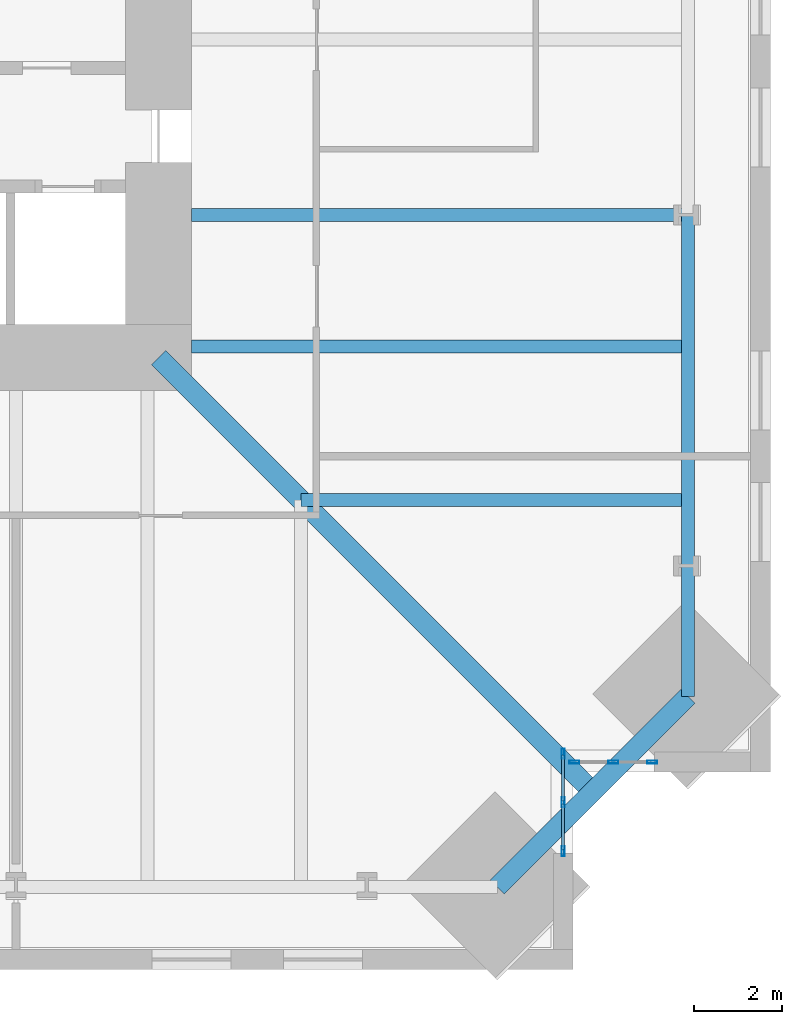
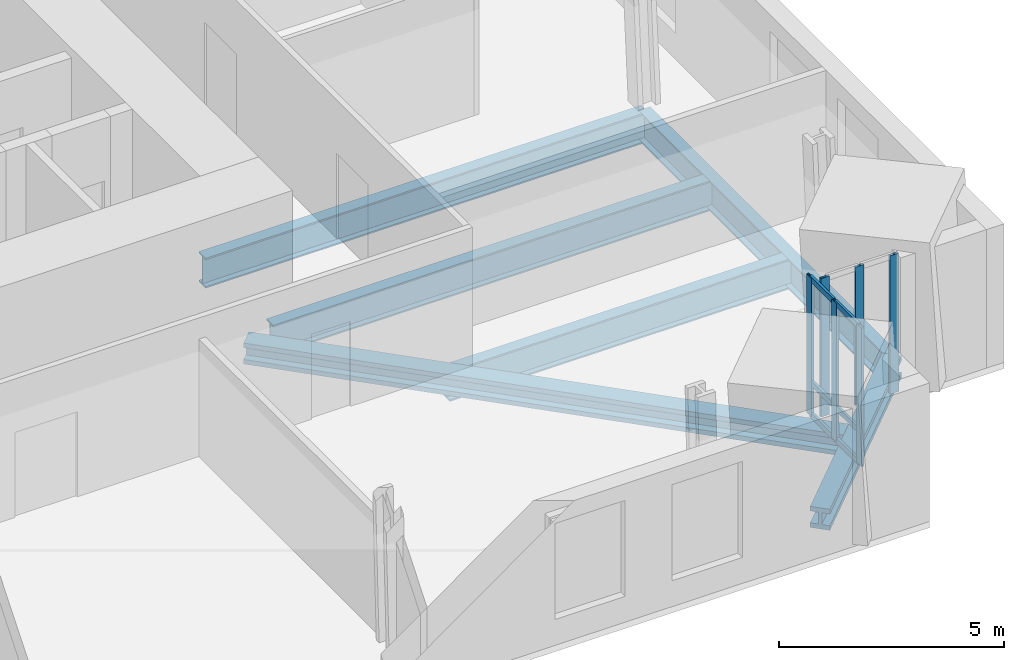
# One storey, part 4 of 15: 12 members, 7 beams, 2 elements without a shape of their own.
"""IFC4 building model written with IfcOpenShell, lengths in metres."""

import ifcopenshell
import ifcopenshell.guid

model = None  # the IFC model being written
_history = None  # IfcOwnerHistory: only IFC2X3 demands one
_inside = {}  # id of a spatial element -> (the spatial element, [elements in it])
_under = {}  # id of a project, library or spatial element -> (it, [spatial elements below it])
_declared = {}  # id of a project -> (the project, [libraries it declares])
_typed = {}  # id of a type object -> (the type object, [elements of that type])
_made_of = {}  # id of a material, layer set ... -> (it, [elements and type objects made of it])


def new_model(schema):
    """Start an empty IFC model of exactly this schema.

    Asked for "IFC4X3", IfcOpenShell would pick the latest addendum, in which some entities
    have other attributes; the version numbers below select the first issue.
    IFC2X3 requires an IfcOwnerHistory on every rooted entity: one is made here for all.
    """
    global model, _history
    if schema == "IFC4X3":
        model = ifcopenshell.file(schema_version=(4, 3, 0, 0))
    else:
        model = ifcopenshell.file(schema=schema)
    _inside.clear()
    _under.clear()
    _declared.clear()
    _typed.clear()
    _made_of.clear()
    _history = None
    if model.schema == "IFC2X3":
        org = make("IfcOrganization", Name="unknown")
        user = make(
            "IfcPersonAndOrganization",
            ThePerson=make("IfcPerson", FamilyName="unknown"),
            TheOrganization=org,
        )
        app = make(
            "IfcApplication",
            ApplicationDeveloper=org,
            Version="unknown",
            ApplicationFullName="unknown",
            ApplicationIdentifier="unknown",
        )
        _history = make(
            "IfcOwnerHistory",
            OwningUser=user,
            OwningApplication=app,
            ChangeAction="ADDED",
            CreationDate=0,
        )
    return model


def make(cls, **values):
    """One entity of the class cls with the attributes given. An attribute that is None is left unset."""
    return model.create_entity(
        cls, **{name: value for name, value in values.items() if value is not None}
    )


def rooted(cls, **values):
    """An entity with a GlobalId (a new one), such as an element, a storey or a relation."""
    return make(cls, GlobalId=ifcopenshell.guid.new(), OwnerHistory=_history, **values)


def si_unit(unit_type, name, prefix=None):
    """IfcSIUnit, for example si_unit("LENGTHUNIT", "METRE", prefix="MILLI")."""
    return make("IfcSIUnit", UnitType=unit_type, Prefix=prefix, Name=name)


def assignment(units):
    """IfcUnitAssignment: the units of a project."""
    return None if units is None else make("IfcUnitAssignment", Units=units)


def point(xyz):
    """IfcCartesianPoint."""
    return None if xyz is None else make("IfcCartesianPoint", Coordinates=xyz)


def direction(xyz):
    """IfcDirection."""
    return None if xyz is None else make("IfcDirection", DirectionRatios=xyz)


def frame(location, z_axis=None, x_axis=None):
    """IfcAxis2Placement3D, a coordinate frame: its origin and axes. An axis left out is left unset."""
    return make(
        "IfcAxis2Placement3D",
        Location=point(location),
        Axis=direction(z_axis),
        RefDirection=direction(x_axis),
    )


def frame_2d(location, x_axis=None):
    """IfcAxis2Placement2D, a coordinate frame in the plane: its origin and x axis."""
    return make(
        "IfcAxis2Placement2D", Location=point(location), RefDirection=direction(x_axis)
    )


def origin():
    """The frame at (0, 0, 0) with its axes left unset."""
    return frame((0.0, 0.0, 0.0))


def origin_2d():
    """The frame at (0, 0) in the plane with its x axis left unset."""
    return frame_2d((0.0, 0.0))


def place(relative_to, where):
    """IfcLocalPlacement: puts the frame where relative to a parent placement (None: the world)."""
    return make(
        "IfcLocalPlacement", PlacementRelTo=relative_to, RelativePlacement=where
    )


def context(
    kind, dimensions, precision=None, world=None, true_north=None, identifier=None
):
    """IfcGeometricRepresentationContext, for example the 3D "Model" context."""
    return make(
        "IfcGeometricRepresentationContext",
        ContextIdentifier=identifier,
        ContextType=kind,
        CoordinateSpaceDimension=dimensions,
        Precision=precision,
        WorldCoordinateSystem=world,
        TrueNorth=true_north,
    )


def subcontext(parent, identifier, kind, view, scale=None):
    """IfcGeometricRepresentationSubContext, for example "Body" below "Model"."""
    return make(
        "IfcGeometricRepresentationSubContext",
        ContextIdentifier=identifier,
        ContextType=kind,
        ParentContext=parent,
        TargetScale=scale,
        TargetView=view,
    )


def project(units=None, contexts=None):
    """IfcProject with its units and contexts."""
    return rooted(
        "IfcProject",
        Name="project",
        RepresentationContexts=contexts,
        UnitsInContext=assignment(units),
    )


def spatial(cls, under=None, at=None, **own):
    """A site, building, storey or space (cls), placed at a placement, below another one or the project."""
    s = rooted(cls, ObjectPlacement=at, **own)
    if under is not None:
        _under.setdefault(under.id(), (under, []))[1].append(s)
    return s


def profile(cls, at=None, kind="AREA", **sizes):
    """A parametric profile (cls). Its sizes go by their IFC names, for example OverallWidth=200.0."""
    return make(cls, ProfileType=kind, Position=at, **sizes)


def hollow_rectangle(**sizes):
    """IfcRectangleHollowProfileDef."""
    return profile("IfcRectangleHollowProfileDef", **sizes)


def i_section(**sizes):
    """IfcIShapeProfileDef."""
    return profile("IfcIShapeProfileDef", **sizes)


def extrude(swept, where, along, depth):
    """IfcExtrudedAreaSolid: the profile swept, set in the frame where, extruded along a direction by depth."""
    return make(
        "IfcExtrudedAreaSolid",
        SweptArea=swept,
        Position=where,
        ExtrudedDirection=direction(along),
        Depth=depth,
    )


def shape(context_of_items, identifier, shape_type, items):
    """IfcShapeRepresentation: the items that make up one representation, for example the "Body"."""
    return make(
        "IfcShapeRepresentation",
        ContextOfItems=context_of_items,
        RepresentationIdentifier=identifier,
        RepresentationType=shape_type,
        Items=items,
    )


def material(Name=None, Category=None):
    """IfcMaterial."""
    return make("IfcMaterial", Name=Name, Category=Category)


def material_profile(
    of_material, cross_section, Name=None, Category=None, Priority=None
):
    """IfcMaterialProfile: a cross section and its material."""
    return make(
        "IfcMaterialProfile",
        Name=Name,
        Material=of_material,
        Profile=cross_section,
        Priority=Priority,
        Category=Category,
    )


def profile_set(profiles, Name=None, composite=None):
    """IfcMaterialProfileSet."""
    return make(
        "IfcMaterialProfileSet",
        Name=Name,
        MaterialProfiles=profiles,
        CompositeProfile=composite,
    )


def made_of(thing, what):
    """Note that an element or type object is made of a material, layer set ...; save() writes the relation."""
    if what is not None:
        _made_of.setdefault(what.id(), (what, []))[1].append(thing)
    return thing


def type_object(cls, material=None, **own):
    """A type object (cls), such as IfcWallType, which elements share."""
    return made_of(rooted(cls, **own), material)


def element(
    cls,
    number,
    at=None,
    inside=None,
    cuts=None,
    type_object=None,
    material=None,
    context=None,
    identifier="Body",
    shape_type=None,
    held_by="IfcProductDefinitionShape",
    body=None,
    shapes=None,
    **own,
):
    """One element of the class cls, such as IfcWall. Its Tag is "e" and its number.

    at: its placement. inside: the storey or other place that contains it. cuts: it is an
    opening in that element (IfcRelVoidsElement). A single representation is given by context,
    identifier, shape_type and body (its items); several are given by shapes. held_by: the class
    of the entity that holds the representations. save() writes the other relations.
    """
    e = rooted(cls, Tag="e%d" % number, ObjectPlacement=at, **own)
    if body is not None:
        shapes = [shape(context, identifier, shape_type, body)]
    if shapes is not None:
        e.Representation = make(held_by, Representations=shapes)
    if inside is not None:
        _inside.setdefault(inside.id(), (inside, []))[1].append(e)
    if cuts is not None:
        rooted(
            "IfcRelVoidsElement", RelatingBuildingElement=cuts, RelatedOpeningElement=e
        )
    if type_object is not None:
        _typed.setdefault(type_object.id(), (type_object, []))[1].append(e)
    return made_of(e, material)


def aggregate(whole, parts):
    """IfcRelAggregates: a whole, such as a stair, and the parts it consists of."""
    return rooted("IfcRelAggregates", RelatingObject=whole, RelatedObjects=parts)


def save(model, path):
    """Write the relations noted so far, then the file.

    IfcRelAggregates (storeys below a building ...), IfcRelContainedInSpatialStructure (elements
    in a storey), IfcRelDefinesByType, IfcRelAssociatesMaterial and IfcRelDeclares: one each for
    every whole, place, type object, material and project.
    """
    for whole, parts in _under.values():
        aggregate(whole, parts)
    for where, things in _inside.values():
        rooted(
            "IfcRelContainedInSpatialStructure",
            RelatedElements=things,
            RelatingStructure=where,
        )
    for kind, things in _typed.values():
        rooted("IfcRelDefinesByType", RelatedObjects=things, RelatingType=kind)
    for what, things in _made_of.values():
        rooted("IfcRelAssociatesMaterial", RelatedObjects=things, RelatingMaterial=what)
    for by, libraries in _declared.values():
        rooted("IfcRelDeclares", RelatingContext=by, RelatedDefinitions=libraries)
    model.write(path)


model = new_model("IFC4")

# Units and contexts
model_context = context("Model", 3, precision=1e-05, world=origin(), true_north=direction((0.0, 1.0)))
body_context = subcontext(model_context, "Body", "Model", "MODEL_VIEW")
ifc_project = project(units=[si_unit("LENGTHUNIT", "METRE"), si_unit("AREAUNIT", "SQUARE_METRE"), si_unit("VOLUMEUNIT", "CUBIC_METRE"), si_unit("PLANEANGLEUNIT", "RADIAN"), si_unit("MASSUNIT", "GRAM", prefix="KILO")], contexts=[model_context])

# Site, building, storey
site_placement = place(None, origin())
site = spatial("IfcSite", under=ifc_project, at=site_placement, CompositionType="ELEMENT")
building_placement = place(site_placement, origin())
building = spatial("IfcBuilding", under=site, at=building_placement, Name="Peilmerk Tower", CompositionType="ELEMENT")
storey_placement = place(building_placement, frame((0.0, 0.0, 187.800048828125)))
storey = spatial("IfcBuildingStorey", under=building, at=storey_placement, Name="L40", CompositionType="ELEMENT", Elevation=187.800048828125)

# Beams
ifc_material_1 = material(Name="Steel S460", Category="steel")
ifc_material_profile_1 = material_profile(ifc_material_1, i_section(OverallWidth=0.4541015625, OverallDepth=0.569091796875, WebThickness=0.077880859375, FlangeThickness=0.125, at=origin_2d()), Name="HD 400x1086")
ifc_profile_set_1 = profile_set([ifc_material_profile_1], Name="Steel S460")
beam_type_1 = type_object("IfcBeamType", Name="B17 HD 400x1086 edge beam", PredefinedType="SPANDREL", material=ifc_profile_set_1)
beam_1_placement = place(storey_placement, frame((23.32421875, -18.97412109375, -0.45458984375), z_axis=(-0.707106781187, -0.707106781187, 0.0), x_axis=(0.707106781187, -0.707106781187, 0.0)))
element("IfcBeam", 1, at=beam_1_placement, inside=storey, type_object=beam_type_1, Name="Notch beam L40", PredefinedType="SPANDREL", context=body_context, shape_type="SweptSolid", body=[
    extrude(i_section(OverallWidth=0.4541015625, OverallDepth=0.569091796875, WebThickness=0.077880859375, FlangeThickness=0.125, at=origin_2d()), origin(), (0.0, 0.0, 1.0), 6.15185546875),
])
ifc_material_profile_2 = material_profile(ifc_material_1, i_section(OverallWidth=0.302978515625, OverallDepth=0.81396484375, WebThickness=0.02099609375, FlangeThickness=0.0400390625, at=origin_2d()), Name="HEM 800")
ifc_profile_set_2 = profile_set([ifc_material_profile_2], Name="Steel S460")
beam_type_2 = type_object("IfcBeamType", Name="B26 HEM 800 floor beam", PredefinedType="BEAM", material=ifc_profile_set_2)
for number, where, z_axis, x_axis, name in (
    (2, (12.0, -11.0, -0.5771484375), (1.0, 0.0, 0.0), (0.0, 1.0, 0.0), "Floor beam L40"),
    (3, (12.0, -8.0, -0.5771484375), (1.0, 0.0, 0.0), (0.0, 1.0, 0.0), "Floor beam L40"),
):
    element("IfcBeam", number, at=place(storey_placement, frame(where, z_axis=z_axis, x_axis=x_axis)), inside=storey, type_object=beam_type_2, Name=name, PredefinedType="BEAM", context=body_context, shape_type="SweptSolid", body=[
        extrude(i_section(OverallWidth=0.302978515625, OverallDepth=0.81396484375, WebThickness=0.02099609375, FlangeThickness=0.0400390625, at=origin_2d()), origin(), (0.0, 0.0, 1.0), 11.32421875),
    ])
beam_2_placement = place(storey_placement, frame((14.5, -14.5, -0.5771484375), z_axis=(1.0, 0.0, 0.0), x_axis=(0.0, 1.0, 0.0)))
element("IfcBeam", 4, at=beam_2_placement, inside=storey, type_object=beam_type_2, Name="Floor beam L40", PredefinedType="BEAM", context=body_context, shape_type="SweptSolid", body=[
    extrude(i_section(OverallWidth=0.302978515625, OverallDepth=0.81396484375, WebThickness=0.02099609375, FlangeThickness=0.0400390625, at=origin_2d()), origin(), (0.0, 0.0, 1.0), 8.82421875),
])
ifc_material_profile_3 = material_profile(ifc_material_1, i_section(OverallWidth=0.302978515625, OverallDepth=0.81396484375, WebThickness=0.02099609375, FlangeThickness=0.0400390625, at=origin_2d()), Name="HEM 800")
ifc_profile_set_3 = profile_set([ifc_material_profile_3], Name="Steel S460")
beam_type_3 = type_object("IfcBeamType", Name="B35 HEM 800 edge beam", PredefinedType="SPANDREL", material=ifc_profile_set_3)
beam_3_placement = place(storey_placement, frame((23.32421875, -18.97412109375, -0.5771484375), z_axis=(0.0, 1.0, 0.0), x_axis=(-1.0, 0.0, 0.0)))
element("IfcBeam", 5, at=beam_3_placement, inside=storey, type_object=beam_type_3, Name="Edge beam L40", PredefinedType="SPANDREL", context=body_context, shape_type="SweptSolid", body=[
    extrude(i_section(OverallWidth=0.302978515625, OverallDepth=0.81396484375, WebThickness=0.02099609375, FlangeThickness=0.0400390625, at=origin_2d()), origin(), (0.0, 0.0, 1.0), 2.97412109375),
])
beam_4_placement = place(storey_placement, frame((23.32421875, -16.0, -0.5771484375), z_axis=(0.0, 1.0, 0.0), x_axis=(-1.0, 0.0, 0.0)))
element("IfcBeam", 6, at=beam_4_placement, inside=storey, type_object=beam_type_3, Name="Edge beam L40", PredefinedType="SPANDREL", context=body_context, shape_type="SweptSolid", body=[
    extrude(i_section(OverallWidth=0.302978515625, OverallDepth=0.81396484375, WebThickness=0.02099609375, FlangeThickness=0.0400390625, at=origin_2d()), origin(), (0.0, 0.0, 1.0), 8.0),
])
ifc_material_profile_4 = material_profile(ifc_material_1, i_section(OverallWidth=0.4541015625, OverallDepth=0.569091796875, WebThickness=0.077880859375, FlangeThickness=0.125, at=origin_2d()), Name="HD 400x1086")
ifc_profile_set_4 = profile_set([ifc_material_profile_4], Name="Steel S460")
beam_type_4 = type_object("IfcBeamType", Name="B9 HD 400x1086 corner girder", PredefinedType="BEAM", material=ifc_profile_set_4)
beam_5_placement = place(storey_placement, frame((11.25, -11.25, -0.45458984375), z_axis=(0.707106781187, -0.707106781187, 0.0), x_axis=(0.707106781187, 0.707106781187, 0.0)))
element("IfcBeam", 7, at=beam_5_placement, inside=storey, type_object=beam_type_4, Name="Corner girder L40", PredefinedType="BEAM", context=body_context, shape_type="SweptSolid", body=[
    extrude(i_section(OverallWidth=0.4541015625, OverallDepth=0.569091796875, WebThickness=0.077880859375, FlangeThickness=0.125, at=origin_2d()), origin(), (0.0, 0.0, 1.0), 13.99951171875),
])

# Curtain wall, members
ifc_material_2 = material(Name="Aluminium stick curtain wall", Category="aluminium")
curtain_wall_type = type_object("IfcCurtainWallType", Name="CW3 stick curtain wall, 2250 module", PredefinedType="NOTDEFINED", material=ifc_material_2)
curtain_wall_1_placement = place(storey_placement, origin())
curtain_wall_1 = element("IfcCurtainWall", 8, at=curtain_wall_1_placement, inside=storey, type_object=curtain_wall_type, Name="Curtain wall CW3 SEA L40", PredefinedType="NOTDEFINED")
ifc_material_3 = material(Name="Aluminium EN AW-6063 T6", Category="aluminium")
ifc_material_profile_5 = material_profile(ifc_material_3, hollow_rectangle(XDim=0.06494140625, YDim=0.22509765625, WallThickness=0.00390625, at=origin_2d()), Name="AL 225x65x4")
ifc_profile_set_5 = profile_set([ifc_material_profile_5], Name="Aluminium EN AW-6063 T6")
member_type_1 = type_object("IfcMemberType", Name="CW3-M AL 225x65x4 mullion", PredefinedType="MULLION", material=ifc_profile_set_5)
member_1_placement = place(storey_placement, frame((20.47509765625, -20.282470703125, 0.0), z_axis=(0.0, 0.0, 1.0), x_axis=(1.0, 0.0, 0.0)))
member_1 = element("IfcMember", 9, at=member_1_placement, type_object=member_type_1, Name="CW3 mullion 1", PredefinedType="MULLION", context=body_context, shape_type="SweptSolid", body=[
    extrude(hollow_rectangle(XDim=0.06494140625, YDim=0.22509765625, WallThickness=0.00390625, at=origin_2d()), origin(), (0.0, 0.0, 1.0), 3.75),
])
member_2_placement = place(storey_placement, frame((20.47509765625, -21.394287109375, 0.0), z_axis=(0.0, 0.0, 1.0), x_axis=(1.0, 0.0, 0.0)))
member_2 = element("IfcMember", 10, at=member_2_placement, type_object=member_type_1, Name="CW3 mullion 2", PredefinedType="MULLION", context=body_context, shape_type="SweptSolid", body=[
    extrude(hollow_rectangle(XDim=0.06494140625, YDim=0.22509765625, WallThickness=0.00390625, at=origin_2d()), origin(), (0.0, 0.0, 1.0), 3.75),
])
member_3_placement = place(storey_placement, frame((20.47509765625, -22.506103515625, 0.0), z_axis=(0.0, 0.0, 1.0), x_axis=(1.0, 0.0, 0.0)))
member_3 = element("IfcMember", 11, at=member_3_placement, type_object=member_type_1, Name="CW3 mullion 3", PredefinedType="MULLION", context=body_context, shape_type="SweptSolid", body=[
    extrude(hollow_rectangle(XDim=0.06494140625, YDim=0.22509765625, WallThickness=0.00390625, at=origin_2d()), origin(), (0.0, 0.0, 1.0), 3.75),
])

curtain_wall_2_placement = place(storey_placement, origin())
curtain_wall_2 = element("IfcCurtainWall", 12, at=curtain_wall_2_placement, inside=storey, type_object=curtain_wall_type, Name="Curtain wall CW3 SEB L40", PredefinedType="NOTDEFINED")
member_4_placement = place(storey_placement, frame((20.732421875, -20.47509765625, 0.0), z_axis=(0.0, 0.0, 1.0), x_axis=(0.0, 1.0, 0.0)))
member_4 = element("IfcMember", 13, at=member_4_placement, type_object=member_type_1, Name="CW3 mullion 1", PredefinedType="MULLION", context=body_context, shape_type="SweptSolid", body=[
    extrude(hollow_rectangle(XDim=0.06494140625, YDim=0.22509765625, WallThickness=0.00390625, at=origin_2d()), origin(), (0.0, 0.0, 1.0), 3.75),
])
member_5_placement = place(storey_placement, frame((21.619384765625, -20.47509765625, 0.0), z_axis=(0.0, 0.0, 1.0), x_axis=(0.0, 1.0, 0.0)))
member_5 = element("IfcMember", 14, at=member_5_placement, type_object=member_type_1, Name="CW3 mullion 2", PredefinedType="MULLION", context=body_context, shape_type="SweptSolid", body=[
    extrude(hollow_rectangle(XDim=0.06494140625, YDim=0.22509765625, WallThickness=0.00390625, at=origin_2d()), origin(), (0.0, 0.0, 1.0), 3.75),
])
member_6_placement = place(storey_placement, frame((22.506103515625, -20.47509765625, 0.0), z_axis=(0.0, 0.0, 1.0), x_axis=(0.0, 1.0, 0.0)))
member_6 = element("IfcMember", 15, at=member_6_placement, type_object=member_type_1, Name="CW3 mullion 3", PredefinedType="MULLION", context=body_context, shape_type="SweptSolid", body=[
    extrude(hollow_rectangle(XDim=0.06494140625, YDim=0.22509765625, WallThickness=0.00390625, at=origin_2d()), origin(), (0.0, 0.0, 1.0), 3.75),
])
aggregate(curtain_wall_2, [member_4, member_5, member_6])

# Member
ifc_material_profile_6 = material_profile(ifc_material_3, hollow_rectangle(XDim=0.06494140625, YDim=0.14990234375, WallThickness=0.0029296875, at=origin_2d()), Name="AL 150x65x3")
ifc_profile_set_6 = profile_set([ifc_material_profile_6], Name="Aluminium EN AW-6063 T6")
member_type_2 = type_object("IfcMemberType", Name="CW3-T AL 150x65x3 transom", PredefinedType="USERDEFINED", material=ifc_profile_set_6)
member_7_placement = place(storey_placement, frame((20.47509765625, -20.31494140625, 0.032470703125), z_axis=(0.0, -1.0, 0.0), x_axis=(1.0, 0.0, 0.0)))
member_7 = element("IfcMember", 16, at=member_7_placement, type_object=member_type_2, Name="CW3 transom 1.1", ObjectType="TRANSOM", PredefinedType="USERDEFINED", context=body_context, shape_type="SweptSolid", body=[
    extrude(hollow_rectangle(XDim=0.06494140625, YDim=0.14990234375, WallThickness=0.0029296875, at=origin_2d()), origin(), (0.0, 0.0, 1.0), 1.046875),
])

member_8_placement = place(storey_placement, frame((20.47509765625, -20.31494140625, 0.89990234375), z_axis=(0.0, -1.0, 0.0), x_axis=(1.0, 0.0, 0.0)))
member_8 = element("IfcMember", 17, at=member_8_placement, type_object=member_type_2, Name="CW3 transom 1.2", ObjectType="TRANSOM", PredefinedType="USERDEFINED", context=body_context, shape_type="SweptSolid", body=[
    extrude(hollow_rectangle(XDim=0.06494140625, YDim=0.14990234375, WallThickness=0.0029296875, at=origin_2d()), origin(), (0.0, 0.0, 1.0), 1.046875),
])

member_9_placement = place(storey_placement, frame((20.47509765625, -20.31494140625, 3.717529296875), z_axis=(0.0, -1.0, 0.0), x_axis=(1.0, 0.0, 0.0)))
member_9 = element("IfcMember", 18, at=member_9_placement, type_object=member_type_2, Name="CW3 transom 1.3", ObjectType="TRANSOM", PredefinedType="USERDEFINED", context=body_context, shape_type="SweptSolid", body=[
    extrude(hollow_rectangle(XDim=0.06494140625, YDim=0.14990234375, WallThickness=0.0029296875, at=origin_2d()), origin(), (0.0, 0.0, 1.0), 1.046875),
])

member_10_placement = place(storey_placement, frame((20.47509765625, -21.4267578125, 0.032470703125), z_axis=(0.0, -1.0, 0.0), x_axis=(1.0, 0.0, 0.0)))
member_10 = element("IfcMember", 19, at=member_10_placement, type_object=member_type_2, Name="CW3 transom 2.1", ObjectType="TRANSOM", PredefinedType="USERDEFINED", context=body_context, shape_type="SweptSolid", body=[
    extrude(hollow_rectangle(XDim=0.06494140625, YDim=0.14990234375, WallThickness=0.0029296875, at=origin_2d()), origin(), (0.0, 0.0, 1.0), 1.046875),
])

member_11_placement = place(storey_placement, frame((20.47509765625, -21.4267578125, 0.89990234375), z_axis=(0.0, -1.0, 0.0), x_axis=(1.0, 0.0, 0.0)))
member_11 = element("IfcMember", 20, at=member_11_placement, type_object=member_type_2, Name="CW3 transom 2.2", ObjectType="TRANSOM", PredefinedType="USERDEFINED", context=body_context, shape_type="SweptSolid", body=[
    extrude(hollow_rectangle(XDim=0.06494140625, YDim=0.14990234375, WallThickness=0.0029296875, at=origin_2d()), origin(), (0.0, 0.0, 1.0), 1.046875),
])

member_12_placement = place(storey_placement, frame((20.47509765625, -21.4267578125, 3.717529296875), z_axis=(0.0, -1.0, 0.0), x_axis=(1.0, 0.0, 0.0)))
member_12 = element("IfcMember", 21, at=member_12_placement, type_object=member_type_2, Name="CW3 transom 2.3", ObjectType="TRANSOM", PredefinedType="USERDEFINED", context=body_context, shape_type="SweptSolid", body=[
    extrude(hollow_rectangle(XDim=0.06494140625, YDim=0.14990234375, WallThickness=0.0029296875, at=origin_2d()), origin(), (0.0, 0.0, 1.0), 1.046875),
])

aggregate(curtain_wall_1, [member_1, member_2, member_3, member_7, member_8, member_9, member_10, member_11, member_12])

save(model, "model.ifc")
